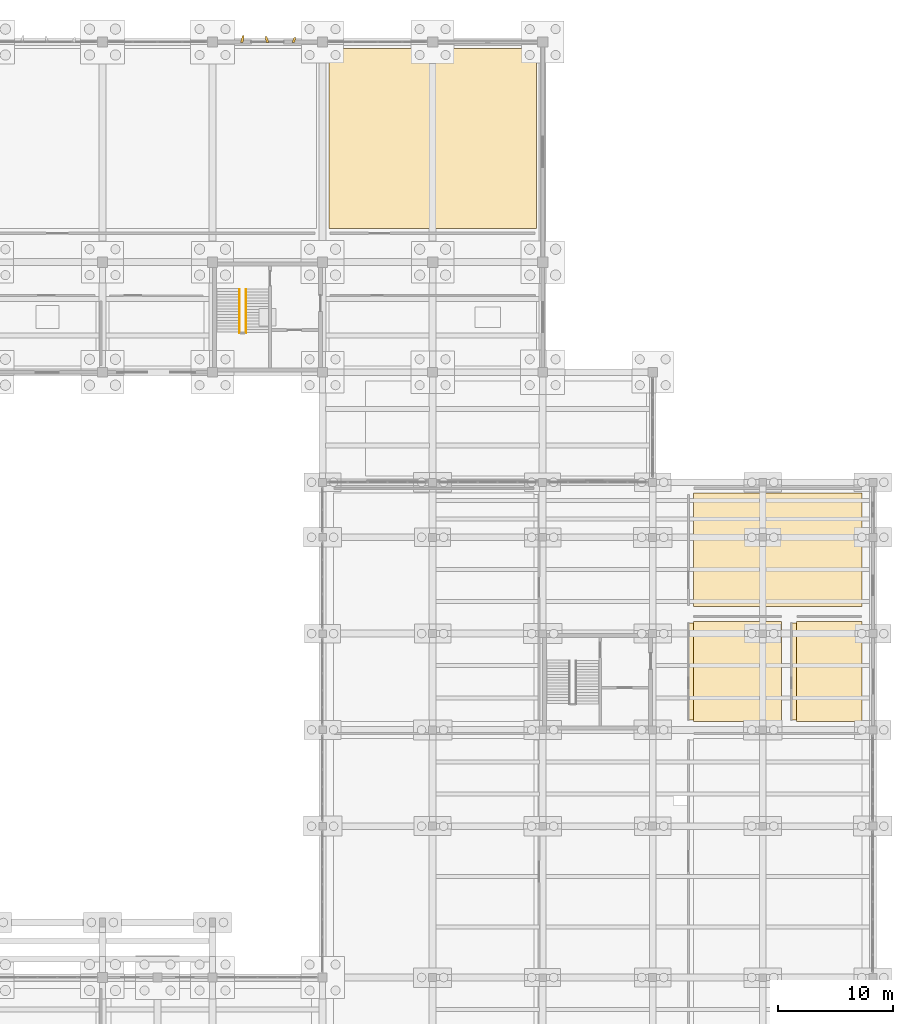
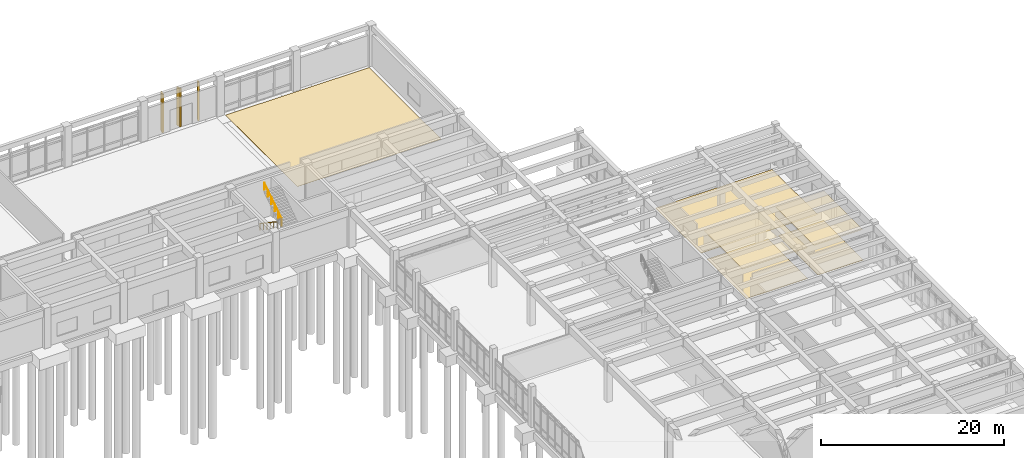
# One storey, part 101 of 102: 9 coverings, 2 railings.
"""IFC4 building model written with IfcOpenShell, lengths in metres."""

from ifc_helpers import new_model, si_unit, direction, frame, origin, origin_2d, place, context, subcontext, project, spatial, polyline, circle, outline, extrude, material, layer, layer_set, type_object, element, save


model = new_model("IFC4")

# Units and contexts
model_context = context("Model", 3, precision=1e-05, world=origin(), true_north=direction((0.0, 1.0)))
body_context = subcontext(model_context, "Body", "Model", "MODEL_VIEW")
ifc_project = project(units=[si_unit("LENGTHUNIT", "METRE"), si_unit("AREAUNIT", "SQUARE_METRE"), si_unit("VOLUMEUNIT", "CUBIC_METRE"), si_unit("PLANEANGLEUNIT", "RADIAN"), si_unit("MASSUNIT", "GRAM", prefix="KILO")], contexts=[model_context])

# Site, building, storey
site_placement = place(None, origin())
site = spatial("IfcSite", under=ifc_project, at=site_placement, CompositionType="ELEMENT")
building_placement = place(site_placement, origin())
building = spatial("IfcBuilding", under=site, at=building_placement, Name="Kolvemor Railside Polytechnic", CompositionType="ELEMENT")
storey_placement = place(building_placement, origin())
storey = spatial("IfcBuildingStorey", under=building, at=storey_placement, Name="L00", CompositionType="ELEMENT", Elevation=0.0)

# Coverings
ifc_material_1 = material(Name="Perforated acoustic mineral-fibre and timber-slat ceiling", Category="wood")
ifc_layer_1 = layer(ifc_material_1, 0.030029296875, Name="COV-CEIL-2")
ifc_layer_set_1 = layer_set([ifc_layer_1], Name="Perforated acoustic mineral-fibre and timber-slat ceiling")
covering_type_1 = type_object("IfcCoveringType", Name="COV-CEIL-2", PredefinedType="CEILING", material=ifc_layer_set_1)
covering_1_placement = place(storey_placement, frame((0.0, 0.0, 4.010009765625)))
element("IfcCovering", 1, at=covering_1_placement, inside=storey, type_object=covering_type_1, Name="Refectory Public WC L00 Acoustic Ceiling", PredefinedType="CEILING", context=body_context, shape_type="SweptSolid", body=[
    extrude(outline(polyline([(166.320068359375, 60.8798828125), (174.449951171875, 60.8798828125), (174.449951171875, 69.320068359375), (166.320068359375, 69.320068359375), (166.320068359375, 60.8798828125)])), origin(), (0.0, 0.0, 1.0), 0.030029296875),
])
ifc_material_2 = material(Name="Perforated acoustic mineral-fibre and timber-slat ceiling", Category="wood")
ifc_layer_2 = layer(ifc_material_2, 0.034912109375, Name="COV-CEIL-3")
ifc_layer_set_2 = layer_set([ifc_layer_2], Name="Perforated acoustic mineral-fibre and timber-slat ceiling")
covering_type_2 = type_object("IfcCoveringType", Name="COV-CEIL-3", PredefinedType="CEILING", material=ifc_layer_set_2)
covering_2_placement = place(storey_placement, frame((0.0, 0.0, 4.0048828125)))
element("IfcCovering", 2, at=covering_2_placement, inside=storey, type_object=covering_type_2, Name="Refectory Accessible WC L00 Acoustic Ceiling", PredefinedType="CEILING", context=body_context, shape_type="SweptSolid", body=[
    extrude(outline(polyline([(175.320068359375, 60.8798828125), (181.449951171875, 60.8798828125), (181.449951171875, 69.320068359375), (175.320068359375, 69.320068359375), (175.320068359375, 60.8798828125)])), origin(), (0.0, 0.0, 1.0), 0.03515625),
])
ifc_material_3 = material(Name="Sea-mist PVDF-anodised marine aluminium 5052-H32", Category="aluminium")
ifc_layer_3 = layer(ifc_material_3, 0.159912109375, Name="COV-FIN-MIST")
ifc_layer_set_3 = layer_set([ifc_layer_3], Name="Sea-mist PVDF-anodised marine aluminium 5052-H32")
covering_type_3 = type_object("IfcCoveringType", Name="COV-FIN-MIST", PredefinedType="CLADDING", material=ifc_layer_set_3)
covering_3_placement = place(storey_placement, frame((0.0, 0.0, 0.02001953125)))
element("IfcCovering", 3, at=covering_3_placement, inside=storey, type_object=covering_type_3, Name="Pleated Solar Fin L00-0729", PredefinedType="CLADDING", context=body_context, shape_type="SweptSolid", body=[
    extrude(outline(polyline([(127.235107421875, 119.965087890625), (127.465087890625, 119.965087890625), (127.570068359375, 120.56494140625), (127.409912109375, 120.56494140625), (127.235107421875, 119.965087890625)])), origin(), (0.0, 0.0, 1.0), 5.10009765625),
])
covering_4_placement = place(storey_placement, frame((0.0, 0.0, 0.02001953125)))
element("IfcCovering", 4, at=covering_4_placement, inside=storey, type_object=covering_type_3, Name="Pleated Solar Fin L00-0730", PredefinedType="CLADDING", context=body_context, shape_type="SweptSolid", body=[
    extrude(outline(polyline([(129.485107421875, 119.965087890625), (129.715087890625, 119.965087890625), (129.5400390625, 120.485107421875), (129.3798828125, 120.485107421875), (129.485107421875, 119.965087890625)])), origin(), (0.0, 0.0, 1.0), 5.10009765625),
])
covering_5_placement = place(storey_placement, frame((0.0, 0.0, 0.02001953125)))
element("IfcCovering", 5, at=covering_5_placement, inside=storey, type_object=covering_type_3, Name="Pleated Solar Fin L00-0731", PredefinedType="CLADDING", context=body_context, shape_type="SweptSolid", body=[
    extrude(outline(polyline([(131.735107421875, 119.965087890625), (131.965087890625, 119.965087890625), (132.070068359375, 120.405029296875), (131.909912109375, 120.405029296875), (131.735107421875, 119.965087890625)])), origin(), (0.0, 0.0, 1.0), 5.10009765625),
])
ifc_material_4 = material(Name="Polished coral-aggregate terrazzo and laboratory epoxy flooring")
ifc_layer_4 = layer(ifc_material_4, 0.02490234375, Name="COV-FLR-2")
ifc_layer_set_4 = layer_set([ifc_layer_4], Name="Polished coral-aggregate terrazzo and laboratory epoxy flooring")
covering_type_4 = type_object("IfcCoveringType", Name="COV-FLR-2", PredefinedType="FLOORING", material=ifc_layer_set_4)
covering_6_placement = place(storey_placement, origin())
element("IfcCovering", 6, at=covering_6_placement, inside=storey, type_object=covering_type_4, Name="Composite Boatbuilding Engineering Workshop Floor Finish", PredefinedType="FLOORING", context=body_context, shape_type="SweptSolid", body=[
    extrude(outline(polyline([(134.949951171875, 103.75), (153.050048828125, 103.75), (153.050048828125, 119.449951171875), (134.949951171875, 119.449951171875), (134.949951171875, 103.75)])), origin(), (0.0, 0.0, 1.0), 0.02490234375),
])
covering_7_placement = place(storey_placement, origin())
element("IfcCovering", 7, at=covering_7_placement, inside=storey, type_object=covering_type_4, Name="Refectory Public WC L00 Floor Finish", PredefinedType="FLOORING", context=body_context, shape_type="SweptSolid", body=[
    extrude(outline(polyline([(166.75, 60.75), (174.449951171875, 60.75), (174.449951171875, 69.449951171875), (166.75, 69.449951171875), (166.75, 60.75)])), origin(), (0.0, 0.0, 1.0), 0.02490234375),
])
ifc_material_5 = material(Name="Polished coral-aggregate terrazzo and laboratory epoxy flooring")
ifc_layer_5 = layer(ifc_material_5, 0.030029296875, Name="COV-FLR-3")
ifc_layer_set_5 = layer_set([ifc_layer_5], Name="Polished coral-aggregate terrazzo and laboratory epoxy flooring")
covering_type_5 = type_object("IfcCoveringType", Name="COV-FLR-3", PredefinedType="FLOORING", material=ifc_layer_set_5)
covering_8_placement = place(storey_placement, origin())
element("IfcCovering", 8, at=covering_8_placement, inside=storey, type_object=covering_type_5, Name="Refectory Accessible WC L00 Floor Finish", PredefinedType="FLOORING", context=body_context, shape_type="SweptSolid", body=[
    extrude(outline(polyline([(175.75, 60.75), (181.449951171875, 60.75), (181.449951171875, 69.449951171875), (175.75, 69.449951171875), (175.75, 60.75)])), origin(), (0.0, 0.0, 1.0), 0.030029296875),
])
ifc_material_6 = material(Name="Polished coral-aggregate terrazzo and laboratory epoxy flooring")
ifc_layer_6 = layer(ifc_material_6, 0.034912109375, Name="COV-FLR-4")
ifc_layer_set_6 = layer_set([ifc_layer_6], Name="Polished coral-aggregate terrazzo and laboratory epoxy flooring")
covering_type_6 = type_object("IfcCoveringType", Name="COV-FLR-4", PredefinedType="FLOORING", material=ifc_layer_set_6)
covering_9_placement = place(storey_placement, origin())
element("IfcCovering", 9, at=covering_9_placement, inside=storey, type_object=covering_type_6, Name="East Sub-Plant and Refuse Store Floor Finish", PredefinedType="FLOORING", context=body_context, shape_type="SweptSolid", body=[
    extrude(outline(polyline([(166.75, 70.75), (181.449951171875, 70.75), (181.449951171875, 80.64990234375), (166.75, 80.64990234375), (166.75, 70.75)])), origin(), (0.0, 0.0, 1.0), 0.034912109375),
])

# Railings
ifc_material_7 = material(Name="Brushed AISI 316 stainless-steel stair handrail", Category="steel")
railing_type = type_object("IfcRailingType", Name="RLG-HANDRAIL-920", PredefinedType="HANDRAIL", material=ifc_material_7)
railing_1_placement = place(storey_placement, frame((127.139892578125, 98.419921875, 0.168701171875)))
element("IfcRailing", 10, at=railing_1_placement, inside=storey, type_object=railing_type, Name="ST-9 Flight 1 Handrail L00", PredefinedType="HANDRAIL", context=body_context, shape_type="SweptSolid", body=[
    extrude(circle(Radius=0.02392578125, at=origin_2d()), frame((0.0, -0.045654296875, 0.926513671875), z_axis=(0.0, -0.830909170722, 0.55640807867), x_axis=(1.0, 0.0, 0.0)), (0.0, 0.0, 1.0), 4.439208984375),
    extrude(circle(Radius=0.02099609375, at=origin_2d()), origin(), (0.0, 0.0, 1.0), 0.85693359375),
    extrude(circle(Radius=0.02099609375, at=origin_2d()), frame((0.0, -0.756103515625, 0.50634765625)), (0.0, 0.0, 1.0), 0.85693359375),
    extrude(circle(Radius=0.02099609375, at=origin_2d()), frame((0.0, -1.511962890625, 1.012451171875)), (0.0, 0.0, 1.0), 0.85693359375),
    extrude(circle(Radius=0.02099609375, at=origin_2d()), frame((0.0, -2.26806640625, 1.518798828125)), (0.0, 0.0, 1.0), 0.85693359375),
    extrude(circle(Radius=0.02099609375, at=origin_2d()), frame((0.0, -3.02392578125, 2.02490234375)), (0.0, 0.0, 1.0), 0.85693359375),
    extrude(circle(Radius=0.02099609375, at=origin_2d()), frame((0.0, -3.780029296875, 2.53125)), (0.0, 0.0, 1.0), 0.85693359375),
])
railing_2_placement = place(storey_placement, frame((127.719970703125, 94.639892578125, 2.86865234375)))
element("IfcRailing", 11, at=railing_2_placement, inside=storey, type_object=railing_type, Name="ST-9 Flight 2 Handrail L00", PredefinedType="HANDRAIL", context=body_context, shape_type="SweptSolid", body=[
    extrude(circle(Radius=0.02392578125, at=origin_2d()), frame((0.0, 0.045654296875, 0.926513671875), z_axis=(0.0, 0.830909170722, 0.55640807867), x_axis=(-1.0, 0.0, 0.0)), (0.0, 0.0, 1.0), 4.439208984375),
    extrude(circle(Radius=0.02099609375, at=origin_2d()), origin(), (0.0, 0.0, 1.0), 0.85693359375),
    extrude(circle(Radius=0.02099609375, at=origin_2d()), frame((0.0, 0.756103515625, 0.50634765625)), (0.0, 0.0, 1.0), 0.85693359375),
    extrude(circle(Radius=0.02099609375, at=origin_2d()), frame((0.0, 1.511962890625, 1.012451171875)), (0.0, 0.0, 1.0), 0.85693359375),
    extrude(circle(Radius=0.02099609375, at=origin_2d()), frame((0.0, 2.26806640625, 1.518798828125)), (0.0, 0.0, 1.0), 0.85693359375),
    extrude(circle(Radius=0.02099609375, at=origin_2d()), frame((0.0, 3.02392578125, 2.02490234375)), (0.0, 0.0, 1.0), 0.85693359375),
    extrude(circle(Radius=0.02099609375, at=origin_2d()), frame((0.0, 3.780029296875, 2.53125)), (0.0, 0.0, 1.0), 0.85693359375),
])

save(model, "model.ifc")
